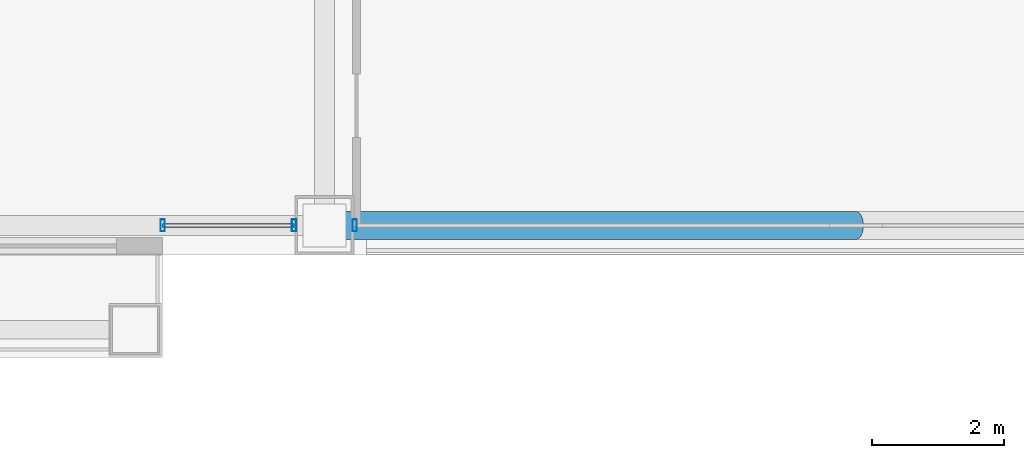
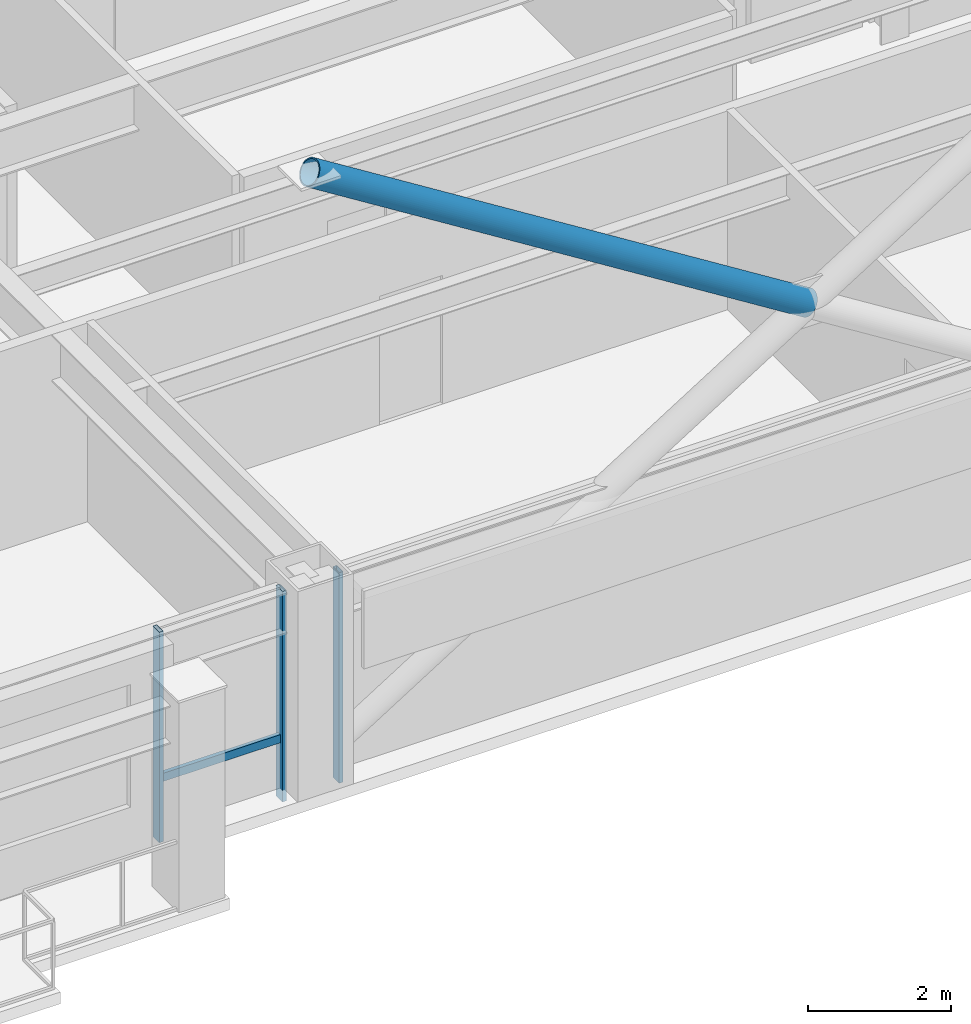
# One storey, part 4 of 30: 5 members, 2 elements without a shape of their own.
"""IFC4 building model written with IfcOpenShell, lengths in metres."""

from ifc_helpers import new_model, si_unit, direction, frame, origin, origin_2d, place, context, subcontext, project, spatial, hollow_rectangle, hollow_circle, extrude, material, layer, layer_set, material_profile, profile_set, type_object, element, aggregate, save


model = new_model("IFC4")

# Units and contexts
model_context = context("Model", 3, precision=1e-05, world=origin(), true_north=direction((0.0, 1.0)))
body_context = subcontext(model_context, "Body", "Model", "MODEL_VIEW")
ifc_project = project(units=[si_unit("LENGTHUNIT", "METRE"), si_unit("AREAUNIT", "SQUARE_METRE"), si_unit("VOLUMEUNIT", "CUBIC_METRE"), si_unit("PLANEANGLEUNIT", "RADIAN"), si_unit("MASSUNIT", "GRAM", prefix="KILO")], contexts=[model_context])

# Site, building, storey
site_placement = place(None, origin())
site = spatial("IfcSite", under=ifc_project, at=site_placement, CompositionType="ELEMENT")
building_placement = place(site_placement, origin())
building = spatial("IfcBuilding", under=site, at=building_placement, Name="Brelmoor Portico Tower", CompositionType="ELEMENT")
storey_placement = place(building_placement, frame((0.0, 0.0, 56.39990234375)))
storey = spatial("IfcBuildingStorey", under=building, at=storey_placement, Name="L14", CompositionType="ELEMENT", Elevation=56.39990234375)

# Member
ifc_material_1 = material(Name="Steel Q355B", Category="steel")
ifc_material_profile_1 = material_profile(ifc_material_1, hollow_circle(Radius=0.212890625, WallThickness=0.02001953125, at=origin_2d()), Name="CHS 426x20")
ifc_profile_set_1 = profile_set([ifc_material_profile_1], Name="Steel Q355B")
member_type_1 = type_object("IfcMemberType", Name="MB-BELT-DIAG1", PredefinedType="BRACE", material=ifc_profile_set_1)
member_1_placement = place(storey_placement, frame((0.0, -21.550048828125, 5.300048828125), z_axis=(-0.847109476093, 0.0, 0.531418418493), x_axis=(0.0, -1.0, 0.0)))
element("IfcMember", 1, at=member_1_placement, inside=storey, type_object=member_type_1, Name="L14 Split Mega-X Brace 025B2", PredefinedType="BRACE", context=body_context, shape_type="SweptSolid", body=[
    extrude(hollow_circle(Radius=0.212890625, WallThickness=0.02001953125, at=origin_2d()), origin(), (0.0, 0.0, 1.0), 9.5029296875),
])

# Curtain wall, members
ifc_material_2 = material(Name="Anodised Aluminium Alloy 6063-T6", Category="aluminium")
ifc_layer_1 = layer(ifc_material_2, 0.179931640625)
ifc_layer_set_1 = layer_set([ifc_layer_1], Name="Anodised Aluminium Alloy 6063-T6")
curtain_wall_type_1 = type_object("IfcCurtainWallType", Name="CW-TOWER-Z1", PredefinedType="NOTDEFINED", material=ifc_layer_set_1)
curtain_wall_1_placement = place(storey_placement, origin())
curtain_wall_1 = element("IfcCurtainWall", 2, at=curtain_wall_1_placement, inside=storey, type_object=curtain_wall_type_1, Name="L14 Curtain Wall CW-L14-1R-1", PredefinedType="NOTDEFINED")
ifc_material_profile_2 = material_profile(ifc_material_2, hollow_rectangle(XDim=0.06494140625, YDim=0.179931640625, WallThickness=0.00390625, at=origin_2d()), Name="ALU MULLION 65x180")
ifc_profile_set_2 = profile_set([ifc_material_profile_2], Name="Anodised Aluminium Alloy 6063-T6")
member_type_2 = type_object("IfcMemberType", Name="MB-CW-MULL-180", PredefinedType="MULLION", material=ifc_profile_set_2)
member_2_placement = place(storey_placement, frame((-10.5, -21.550048828125, -0.199951171875), z_axis=(0.0, 0.0, 1.0), x_axis=(1.0, 0.0, 0.0)))
member_2 = element("IfcMember", 3, at=member_2_placement, type_object=member_type_2, Name="CW-L14-1R-1 Mullion 00", PredefinedType="MULLION", context=body_context, shape_type="SweptSolid", body=[
    extrude(hollow_rectangle(XDim=0.06494140625, YDim=0.179931640625, WallThickness=0.00390625, at=origin_2d()), origin(), (0.0, 0.0, 1.0), 3.60009765625),
])
member_3_placement = place(storey_placement, frame((-8.510009765625, -21.550048828125, -0.199951171875), z_axis=(0.0, 0.0, 1.0), x_axis=(1.0, 0.0, 0.0)))
member_3 = element("IfcMember", 4, at=member_3_placement, type_object=member_type_2, Name="CW-L14-1R-1 Mullion 01", PredefinedType="MULLION", context=body_context, shape_type="SweptSolid", body=[
    extrude(hollow_rectangle(XDim=0.06494140625, YDim=0.179931640625, WallThickness=0.00390625, at=origin_2d()), origin(), (0.0, 0.0, 1.0), 3.60009765625),
])

# Curtain wall, member
ifc_layer_2 = layer(ifc_material_2, 0.179931640625)
ifc_layer_set_2 = layer_set([ifc_layer_2], Name="Anodised Aluminium Alloy 6063-T6")
curtain_wall_type_2 = type_object("IfcCurtainWallType", Name="CW-TOWER-Z1-XB", PredefinedType="NOTDEFINED", material=ifc_layer_set_2)
curtain_wall_2_placement = place(storey_placement, origin())
curtain_wall_2 = element("IfcCurtainWall", 5, at=curtain_wall_2_placement, inside=storey, type_object=curtain_wall_type_2, Name="L14 Curtain Wall CW-L14-1R-2", PredefinedType="NOTDEFINED")
member_4_placement = place(storey_placement, frame((-7.590087890625, -21.550048828125, -0.199951171875), z_axis=(0.0, 0.0, 1.0), x_axis=(1.0, 0.0, 0.0)))
member_4 = element("IfcMember", 6, at=member_4_placement, type_object=member_type_2, Name="CW-L14-1R-2 Mullion 00", PredefinedType="MULLION", context=body_context, shape_type="SweptSolid", body=[
    extrude(hollow_rectangle(XDim=0.06494140625, YDim=0.179931640625, WallThickness=0.00390625, at=origin_2d()), origin(), (0.0, 0.0, 1.0), 3.60009765625),
])
aggregate(curtain_wall_2, [member_4])

# Member
ifc_material_profile_3 = material_profile(ifc_material_2, hollow_rectangle(XDim=0.06494140625, YDim=0.139892578125, WallThickness=0.00390625, at=origin_2d()), Name="ALU TRANSOM 65x140")
ifc_profile_set_3 = profile_set([ifc_material_profile_3], Name="Anodised Aluminium Alloy 6063-T6")
member_type_3 = type_object("IfcMemberType", Name="MB-CW-TRAN-140", PredefinedType="USERDEFINED", material=ifc_profile_set_3)
member_5_placement = place(storey_placement, frame((-10.5, -21.550048828125, 0.85009765625), z_axis=(1.0, 0.0, 0.0), x_axis=(0.0, 1.0, 0.0)))
member_5 = element("IfcMember", 7, at=member_5_placement, type_object=member_type_3, Name="CW-L14-1R-1 Transom 1-00", ObjectType="TRANSOM", PredefinedType="USERDEFINED", context=body_context, shape_type="SweptSolid", body=[
    extrude(hollow_rectangle(XDim=0.06494140625, YDim=0.139892578125, WallThickness=0.00390625, at=origin_2d()), origin(), (0.0, 0.0, 1.0), 1.989990234375),
])

aggregate(curtain_wall_1, [member_2, member_3, member_5])

save(model, "model.ifc")
